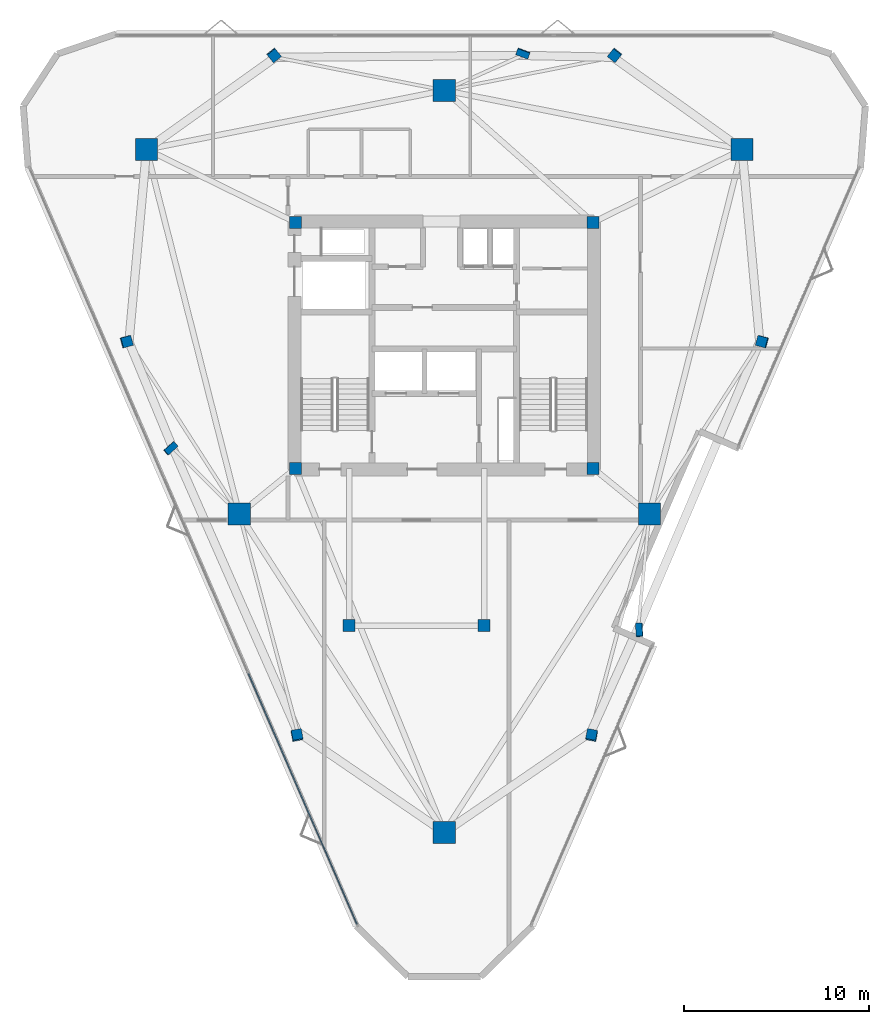
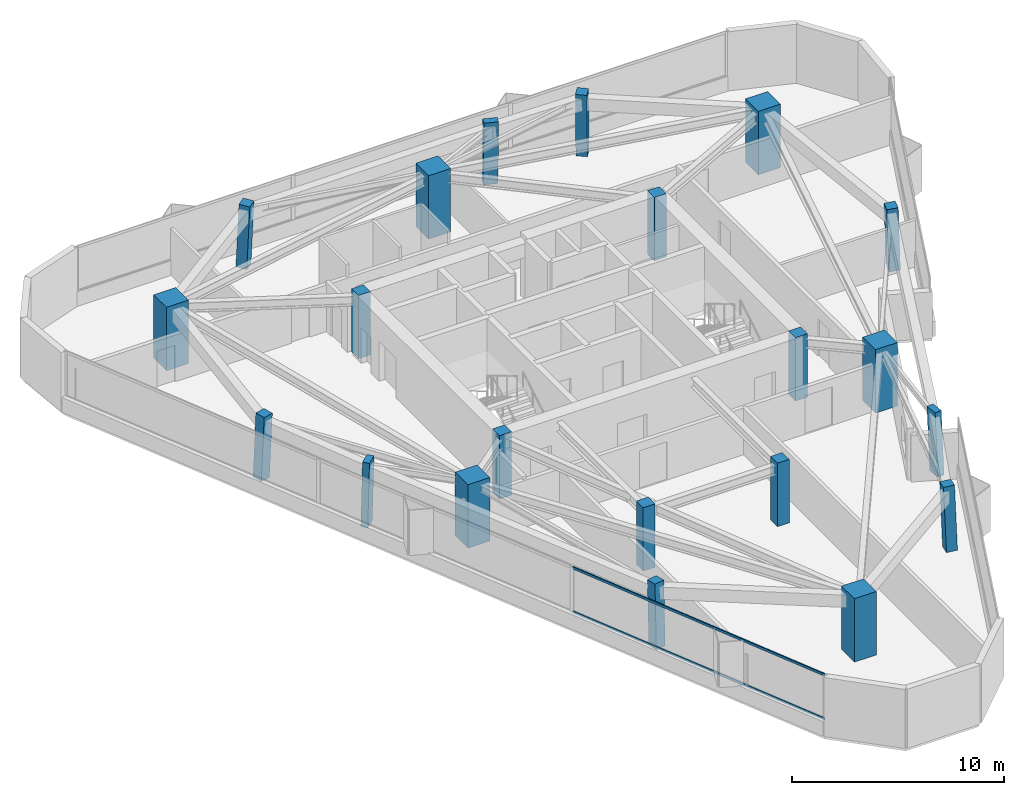
# One storey, part 1 of 10: 21 columns, 2 members, 1 element without a shape of its own.
"""IFC4 building model written with IfcOpenShell, lengths in metres."""

from ifc_helpers import new_model, si_unit, direction, frame, origin, origin_2d, place, context, subcontext, project, spatial, rectangle, extrude, material, layer, layer_set, material_profile, profile_set, type_object, element, aggregate, save


model = new_model("IFC4")

# Units and contexts
model_context = context("Model", 3, precision=1e-05, world=origin(), true_north=direction((0.0, 1.0)))
body_context = subcontext(model_context, "Body", "Model", "MODEL_VIEW")
ifc_project = project(units=[si_unit("LENGTHUNIT", "METRE"), si_unit("AREAUNIT", "SQUARE_METRE"), si_unit("VOLUMEUNIT", "CUBIC_METRE"), si_unit("PLANEANGLEUNIT", "RADIAN"), si_unit("MASSUNIT", "GRAM", prefix="KILO")], contexts=[model_context])

# Site, building, storey
site_placement = place(None, origin())
site = spatial("IfcSite", under=ifc_project, at=site_placement, CompositionType="ELEMENT")
building_placement = place(site_placement, origin())
building = spatial("IfcBuilding", under=site, at=building_placement, Name="Talyreon Biosciences Tower", CompositionType="ELEMENT")
storey_placement = place(building_placement, frame((0.0, 0.0, 260.800048828125)))
storey = spatial("IfcBuildingStorey", under=building, at=storey_placement, Name="L69", CompositionType="ELEMENT", Elevation=260.800048828125)

# Columns
ifc_material_1 = material(Name="Precast concrete C45/55", Category="concrete")
ifc_material_profile_1 = material_profile(ifc_material_1, rectangle(XDim=0.699951171875, YDim=0.35009765625, at=origin_2d()), Name="RC 700x350")
ifc_profile_set_1 = profile_set([ifc_material_profile_1], Name="Precast concrete C45/55")
column_type_1 = type_object("IfcColumnType", Name="FacadePilaster_700x350", PredefinedType="PILASTER", material=ifc_profile_set_1)
column_1_placement = place(storey_placement, frame((76.54931640625, 52.593505859375, 0.0029296875), z_axis=(-0.019611953815, 0.038353752683, 0.999071749637), x_axis=(0.063755200186, -0.997182248531, 0.039532741663)))
element("IfcColumn", 1, at=column_1_placement, inside=storey, type_object=column_type_1, Name="L69 Facade Pilaster PL-SE", PredefinedType="PILASTER", context=body_context, shape_type="SweptSolid", body=[
    extrude(rectangle(XDim=0.699951171875, YDim=0.35009765625, at=origin_2d()), origin(), (0.0, 0.0, 1.0), 3.6474609375),
])
column_2_placement = place(storey_placement, frame((70.257080078125, 83.801025390625, 0.0029296875), z_axis=(-0.01238655289, -0.033544124313, 0.999360478022), x_axis=(-0.9380871136, 0.346399433166, 0.0)))
element("IfcColumn", 2, at=column_2_placement, inside=storey, type_object=column_type_1, Name="L69 Facade Pilaster PL-N", PredefinedType="PILASTER", context=body_context, shape_type="SweptSolid", body=[
    extrude(rectangle(XDim=0.699951171875, YDim=0.35009765625, at=origin_2d()), origin(), (0.0, 0.0, 1.0), 3.646484375),
])
column_3_placement = place(storey_placement, frame((51.193603515625, 62.42919921875, 0.0029296875), z_axis=(0.032006431603, 0.010646490847, 0.99943095838), x_axis=(0.744934153314, 0.666419443693, -0.030955327404)))
element("IfcColumn", 3, at=column_3_placement, inside=storey, type_object=column_type_1, Name="L69 Facade Pilaster PL-SW", PredefinedType="PILASTER", context=body_context, shape_type="SweptSolid", body=[
    extrude(rectangle(XDim=0.699951171875, YDim=0.35009765625, at=origin_2d()), origin(), (0.0, 0.0, 1.0), 3.64599609375),
])
ifc_material_2 = material(Name="Concrete C50/60", Category="concrete")
ifc_material_profile_2 = material_profile(ifc_material_2, rectangle(XDim=1.199951171875, YDim=1.199951171875, at=origin_2d()), Name="RC 1200x1200")
ifc_profile_set_2 = profile_set([ifc_material_profile_2], Name="Concrete C50/60")
column_type_2 = type_object("IfcColumnType", Name="MegaColumn_1200", PredefinedType="COLUMN", material=ifc_profile_set_2)
for number, where, z_axis, x_axis, name in (
    (4, (66.0, 41.6669921875, 0.0), (0.0, 0.0, 1.0), (1.0, 0.0, 0.0), "L69 Composite Mega-Column MC1"),
    (5, (82.102294921875, 78.5986328125, 0.0), (0.0, 0.0, 1.0), (1.0, 0.0, 0.0), "L69 Composite Mega-Column MC2"),
    (6, (49.897705078125, 78.5986328125, 0.0), (0.0, 0.0, 1.0), (1.0, 0.0, 0.0), "L69 Composite Mega-Column MC3"),
    (7, (77.086181640625, 58.88037109375, 0.0), (0.0, 0.0, 1.0), (1.0, 0.0, 0.0), "L69 Composite Mega-Column MC4"),
    (8, (66.0, 81.788818359375, 0.0), (0.0, 0.0, 1.0), (1.0, 0.0, 0.0), "L69 Composite Mega-Column MC5"),
    (9, (54.913818359375, 58.88037109375, 0.0), (0.0, 0.0, 1.0), (1.0, 0.0, 0.0), "L69 Composite Mega-Column MC6"),
):
    element("IfcColumn", number, at=place(storey_placement, frame(where, z_axis=z_axis, x_axis=x_axis)), inside=storey, type_object=column_type_2, Name=name, PredefinedType="COLUMN", context=body_context, shape_type="SweptSolid", body=[
        extrude(rectangle(XDim=1.199951171875, YDim=1.199951171875, at=origin_2d()), origin(), (0.0, 0.0, 1.0), 3.64990234375),
    ])
ifc_material_profile_3 = material_profile(ifc_material_2, rectangle(XDim=0.550048828125, YDim=0.550048828125, at=origin_2d()), Name="RC 550x550")
ifc_profile_set_3 = profile_set([ifc_material_profile_3], Name="Concrete C50/60")
column_type_3 = type_object("IfcColumnType", Name="PerimeterColumn_550", PredefinedType="COLUMN", material=ifc_profile_set_3)
column_4_placement = place(storey_placement, frame((73.97412109375, 46.895751953125, 0.0029296875), z_axis=(-0.012375096162, 0.054517315524, 0.998436136818), x_axis=(-0.184542287817, -0.981484590587, 0.051304409626)))
element("IfcColumn", 10, at=column_4_placement, inside=storey, type_object=column_type_3, Name="L69 Tapering Perimeter Column PC-SE1", PredefinedType="COLUMN", context=body_context, shape_type="SweptSolid", body=[
    extrude(rectangle(XDim=0.550048828125, YDim=0.550048828125, at=origin_2d()), origin(), (0.0, 0.0, 1.0), 3.649658203125),
])
column_5_placement = place(storey_placement, frame((83.197998046875, 68.20654296875, 0.0029296875), z_axis=(-0.039229508262, -0.005623342481, 0.999214403269), x_axis=(0.964085032631, -0.263091799372, 0.036369698377)))
element("IfcColumn", 11, at=column_5_placement, inside=storey, type_object=column_type_3, Name="L69 Tapering Perimeter Column PC-SE2", PredefinedType="COLUMN", context=body_context, shape_type="SweptSolid", body=[
    extrude(rectangle(XDim=0.550048828125, YDim=0.550048828125, at=origin_2d()), origin(), (0.0, 0.0, 1.0), 3.64697265625),
])
for number, where, z_axis, x_axis, name in (
    (12, (75.22412109375, 83.700927734375, 0.0029296875), (-0.026907963191, -0.033534551141, 0.999075270136), (-0.779956681152, 0.625833504637, 0.0), "L69 Tapering Perimeter Column PC-N1"),
    (13, (56.77587890625, 83.700927734375, 0.0029296875), (0.026907963191, -0.033534551141, 0.999075270136), (-0.779956681152, -0.625833504637, 0.0), "L69 Tapering Perimeter Column PC-N2"),
):
    element("IfcColumn", number, at=place(storey_placement, frame(where, z_axis=z_axis, x_axis=x_axis)), inside=storey, type_object=column_type_3, Name=name, PredefinedType="COLUMN", context=body_context, shape_type="SweptSolid", body=[
        extrude(rectangle(XDim=0.550048828125, YDim=0.550048828125, at=origin_2d()), origin(), (0.0, 0.0, 1.0), 3.6474609375),
    ])
column_6_placement = place(storey_placement, frame((48.802001953125, 68.20654296875, 0.0029296875), z_axis=(0.039229508262, -0.005623342481, 0.999214403269), x_axis=(0.964085032631, 0.263091799372, -0.036369698377)))
element("IfcColumn", 14, at=column_6_placement, inside=storey, type_object=column_type_3, Name="L69 Tapering Perimeter Column PC-SW1", PredefinedType="COLUMN", context=body_context, shape_type="SweptSolid", body=[
    extrude(rectangle(XDim=0.550048828125, YDim=0.550048828125, at=origin_2d()), origin(), (0.0, 0.0, 1.0), 3.64697265625),
])
column_7_placement = place(storey_placement, frame((58.02587890625, 46.895751953125, 0.0029296875), z_axis=(0.012375096162, 0.054517315524, 0.998436136818), x_axis=(-0.184542287817, 0.981484590587, -0.051304409626)))
element("IfcColumn", 15, at=column_7_placement, inside=storey, type_object=column_type_3, Name="L69 Tapering Perimeter Column PC-SW2", PredefinedType="COLUMN", context=body_context, shape_type="SweptSolid", body=[
    extrude(rectangle(XDim=0.550048828125, YDim=0.550048828125, at=origin_2d()), origin(), (0.0, 0.0, 1.0), 3.649658203125),
])
ifc_material_profile_4 = material_profile(ifc_material_2, rectangle(XDim=0.64990234375, YDim=0.64990234375, at=origin_2d()), Name="RC 650x650")
ifc_profile_set_4 = profile_set([ifc_material_profile_4], Name="Concrete C50/60")
column_type_4 = type_object("IfcColumnType", Name="PerimeterColumn_650", PredefinedType="COLUMN", material=ifc_profile_set_4)
for number, where, z_axis, x_axis, name in (
    (16, (57.949951171875, 61.35009765625, 0.0), (0.0, 0.0, 1.0), (1.0, 0.0, 0.0), "L69 Core Column CC1"),
    (17, (74.050048828125, 61.35009765625, 0.0), (0.0, 0.0, 1.0), (1.0, 0.0, 0.0), "L69 Core Column CC2"),
    (18, (74.050048828125, 74.64990234375, 0.0), (0.0, 0.0, 1.0), (1.0, 0.0, 0.0), "L69 Core Column CC3"),
    (19, (57.949951171875, 74.64990234375, 0.0), (0.0, 0.0, 1.0), (1.0, 0.0, 0.0), "L69 Core Column CC4"),
    (20, (60.85009765625, 52.840087890625, 0.0), (0.0, 0.0, 1.0), (1.0, 0.0, 0.0), "L69 Core Column CSW"),
    (21, (68.14990234375, 52.840087890625, 0.0), (0.0, 0.0, 1.0), (1.0, 0.0, 0.0), "L69 Core Column CSE"),
):
    element("IfcColumn", number, at=place(storey_placement, frame(where, z_axis=z_axis, x_axis=x_axis)), inside=storey, type_object=column_type_4, Name=name, PredefinedType="COLUMN", context=body_context, shape_type="SweptSolid", body=[
        extrude(rectangle(XDim=0.64990234375, YDim=0.64990234375, at=origin_2d()), origin(), (0.0, 0.0, 1.0), 3.64990234375),
    ])

# Curtain wall, members
ifc_material_3 = material(Name="Thermally broken aluminium and low-E glazing", Category="aluminium")
ifc_layer = layer(ifc_material_3, 0.205078125)
ifc_layer_set = layer_set([ifc_layer], Name="Thermally broken aluminium and low-E glazing")
curtain_wall_type = type_object("IfcCurtainWallType", Name="CurtainWall_SkyGardenLoggia", PredefinedType="NOTDEFINED", material=ifc_layer_set)
curtain_wall_placement = place(storey_placement, origin())
curtain_wall = element("IfcCurtainWall", 22, at=curtain_wall_placement, inside=storey, type_object=curtain_wall_type, Name="L69 Unitised Curtain Wall FCW-L69-15", PredefinedType="NOTDEFINED")
ifc_material_4 = material(Name="Anodised thermally broken aluminium", Category="aluminium")
ifc_material_profile_5 = material_profile(ifc_material_4, rectangle(XDim=0.06494140625, YDim=0.139892578125, at=origin_2d()), Name="ALUM TRANSOM 65x140")
ifc_profile_set_5 = profile_set([ifc_material_profile_5], Name="Anodised thermally broken aluminium")
member_type = type_object("IfcMemberType", Name="CWTransom_65x140", PredefinedType="USERDEFINED", material=ifc_profile_set_5)
member_1_placement = place(storey_placement, frame((61.271484375, 36.703857421875, 0.842529296875), z_axis=(-0.39721968197, 0.917723555465, 0.0), x_axis=(-0.917723555465, -0.39721968197, 0.0)))
member_1 = element("IfcMember", 23, at=member_1_placement, type_object=member_type, Name="CW7 transom 1.1", ObjectType="TRANSOM", PredefinedType="USERDEFINED", context=body_context, shape_type="SweptSolid", body=[
    extrude(rectangle(XDim=0.06494140625, YDim=0.139892578125, at=origin_2d()), origin(), (0.0, 0.0, 1.0), 14.773193359375),
])
member_2_placement = place(storey_placement, frame((61.271484375, 36.703857421875, 3.367431640625), z_axis=(-0.39721968197, 0.917723555465, 0.0), x_axis=(-0.917723555465, -0.39721968197, 0.0)))
member_2 = element("IfcMember", 24, at=member_2_placement, type_object=member_type, Name="CW7 transom 1.2", ObjectType="TRANSOM", PredefinedType="USERDEFINED", context=body_context, shape_type="SweptSolid", body=[
    extrude(rectangle(XDim=0.06494140625, YDim=0.139892578125, at=origin_2d()), origin(), (0.0, 0.0, 1.0), 14.773193359375),
])
aggregate(curtain_wall, [member_1, member_2])

save(model, "model.ifc")
